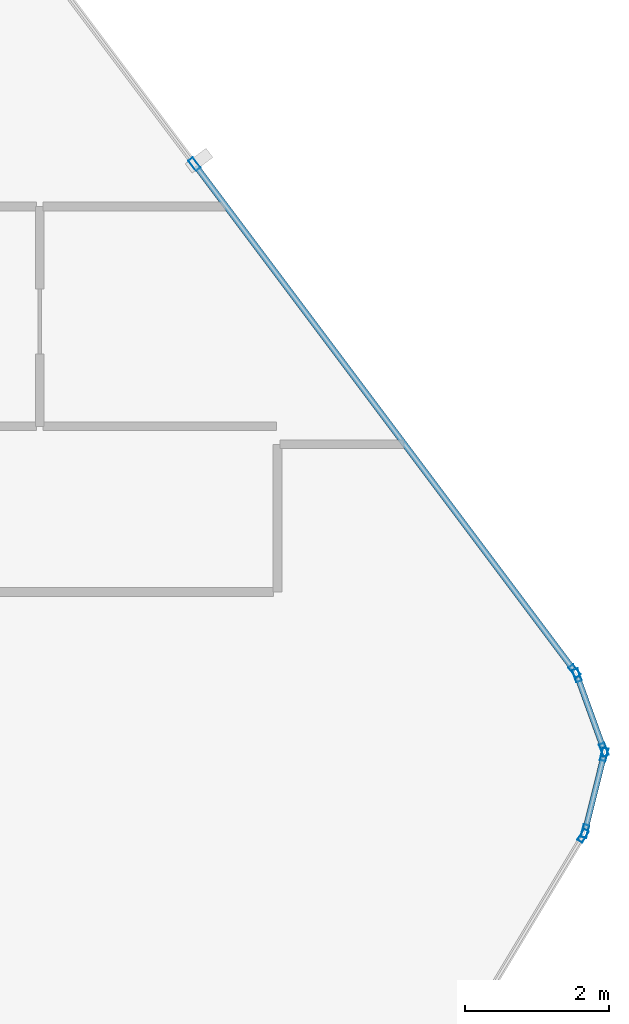
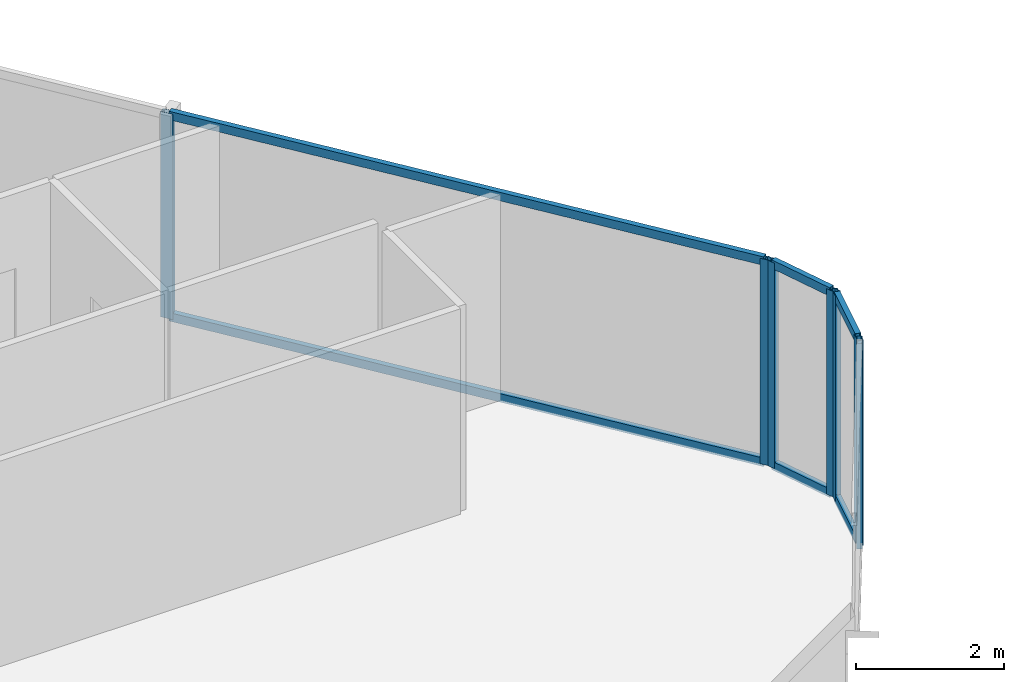
# One storey, part 19 of 31: 13 members, 4 elements without a shape of their own.
"""IFC4 building model written with IfcOpenShell, lengths in metres."""

from ifc_helpers import new_model, si_unit, direction, frame, origin, origin_2d, place, context, subcontext, project, spatial, hollow_rectangle, extrude, material, layer, layer_set, material_profile, profile_set, type_object, element, aggregate, save


model = new_model("IFC4")

# Units and contexts
model_context = context("Model", 3, precision=1e-05, world=origin(), true_north=direction((0.0, 1.0)))
body_context = subcontext(model_context, "Body", "Model", "MODEL_VIEW")
ifc_project = project(units=[si_unit("LENGTHUNIT", "METRE"), si_unit("AREAUNIT", "SQUARE_METRE"), si_unit("VOLUMEUNIT", "CUBIC_METRE"), si_unit("PLANEANGLEUNIT", "RADIAN"), si_unit("MASSUNIT", "GRAM", prefix="KILO")], contexts=[model_context])

# Site, building, storey
site_placement = place(None, origin())
site = spatial("IfcSite", under=ifc_project, at=site_placement, CompositionType="ELEMENT")
building_placement = place(site_placement, origin())
building = spatial("IfcBuilding", under=site, at=building_placement, Name="Keshet Zoharim Tower", CompositionType="ELEMENT")
storey_placement = place(building_placement, frame((0.0, 0.0, 148.300048828125)))
storey = spatial("IfcBuildingStorey", under=building, at=storey_placement, Name="L36", CompositionType="ELEMENT", Elevation=148.300048828125)

# Curtain wall, members
ifc_material = material(Name="Aluminium 6063-T6", Category="aluminium")
ifc_layer = layer(ifc_material, 0.159912109375)
ifc_layer_set = layer_set([ifc_layer], Name="Aluminium 6063-T6")
curtain_wall_type = type_object("IfcCurtainWallType", Name="CW-SYS-03", PredefinedType="NOTDEFINED", material=ifc_layer_set)
curtain_wall_1_placement = place(storey_placement, origin())
curtain_wall_1 = element("IfcCurtainWall", 1, at=curtain_wall_1_placement, inside=storey, type_object=curtain_wall_type, Name="L36 Unitised Curtain Wall 15", PredefinedType="NOTDEFINED")
ifc_material_profile_1 = material_profile(ifc_material, hollow_rectangle(XDim=0.080078125, YDim=0.179931640625, WallThickness=0.00439453125, at=origin_2d()), Name="MUL-80x180")
ifc_profile_set_1 = profile_set([ifc_material_profile_1], Name="Aluminium 6063-T6")
member_type_1 = type_object("IfcMemberType", Name="CWM-M18", PredefinedType="MULLION", material=ifc_profile_set_1)
member_1_placement = place(storey_placement, frame((56.896484375, 46.0380859375, 0.0), z_axis=(0.0, 0.0, 1.0), x_axis=(0.799999999998, 0.600000000002, 0.0)))
member_1 = element("IfcMember", 2, at=member_1_placement, type_object=member_type_1, Name="CW-03 mullion 2", PredefinedType="MULLION", context=body_context, shape_type="SweptSolid", body=[
    extrude(hollow_rectangle(XDim=0.080078125, YDim=0.179931640625, WallThickness=0.00439453125, at=origin_2d()), origin(), (0.0, 0.0, 1.0), 3.385009765625),
])
member_2_placement = place(storey_placement, frame((62.172119140625, 39.00390625, 0.0), z_axis=(0.0, 0.0, 1.0), x_axis=(0.799999999998, 0.600000000002, 0.0)))
member_2 = element("IfcMember", 3, at=member_2_placement, type_object=member_type_1, Name="CW-03 mullion 3", PredefinedType="MULLION", context=body_context, shape_type="SweptSolid", body=[
    extrude(hollow_rectangle(XDim=0.080078125, YDim=0.179931640625, WallThickness=0.00439453125, at=origin_2d()), origin(), (0.0, 0.0, 1.0), 3.385009765625),
])

curtain_wall_2_placement = place(storey_placement, origin())
curtain_wall_2 = element("IfcCurtainWall", 4, at=curtain_wall_2_placement, inside=storey, type_object=curtain_wall_type, Name="L36 Unitised Curtain Wall 16", PredefinedType="NOTDEFINED")
member_3_placement = place(storey_placement, frame((62.204833984375, 38.943115234375, 0.0), z_axis=(0.0, 0.0, 1.0), x_axis=(0.940317877544, 0.340297354046, 0.0)))
member_3 = element("IfcMember", 5, at=member_3_placement, type_object=member_type_1, Name="CW-03 mullion 1", PredefinedType="MULLION", context=body_context, shape_type="SweptSolid", body=[
    extrude(hollow_rectangle(XDim=0.080078125, YDim=0.179931640625, WallThickness=0.00439453125, at=origin_2d()), origin(), (0.0, 0.0, 1.0), 3.385009765625),
])
member_4_placement = place(storey_placement, frame((62.578125, 37.911865234375, 0.0), z_axis=(0.0, 0.0, 1.0), x_axis=(0.940317877544, 0.340297354046, 0.0)))
member_4 = element("IfcMember", 6, at=member_4_placement, type_object=member_type_1, Name="CW-03 mullion 2", PredefinedType="MULLION", context=body_context, shape_type="SweptSolid", body=[
    extrude(hollow_rectangle(XDim=0.080078125, YDim=0.179931640625, WallThickness=0.00439453125, at=origin_2d()), origin(), (0.0, 0.0, 1.0), 3.385009765625),
])

curtain_wall_3_placement = place(storey_placement, origin())
curtain_wall_3 = element("IfcCurtainWall", 7, at=curtain_wall_3_placement, inside=storey, type_object=curtain_wall_type, Name="L36 Unitised Curtain Wall 17", PredefinedType="NOTDEFINED")
member_5_placement = place(storey_placement, frame((62.58154296875, 37.844970703125, 0.0), z_axis=(0.0, 0.0, 1.0), x_axis=(0.970343857447, -0.241728770141, 0.0)))
member_5 = element("IfcMember", 8, at=member_5_placement, type_object=member_type_1, Name="CW-03 mullion 1", PredefinedType="MULLION", context=body_context, shape_type="SweptSolid", body=[
    extrude(hollow_rectangle(XDim=0.080078125, YDim=0.179931640625, WallThickness=0.00439453125, at=origin_2d()), origin(), (0.0, 0.0, 1.0), 3.385009765625),
])
member_6_placement = place(storey_placement, frame((62.31640625, 36.781005859375, 0.0), z_axis=(0.0, 0.0, 1.0), x_axis=(0.970343857447, -0.241728770141, 0.0)))
member_6 = element("IfcMember", 9, at=member_6_placement, type_object=member_type_1, Name="CW-03 mullion 2", PredefinedType="MULLION", context=body_context, shape_type="SweptSolid", body=[
    extrude(hollow_rectangle(XDim=0.080078125, YDim=0.179931640625, WallThickness=0.00439453125, at=origin_2d()), origin(), (0.0, 0.0, 1.0), 3.385009765625),
])

# Curtain wall, member
curtain_wall_4_placement = place(storey_placement, origin())
curtain_wall_4 = element("IfcCurtainWall", 10, at=curtain_wall_4_placement, inside=storey, type_object=curtain_wall_type, Name="L36 Unitised Curtain Wall 18", PredefinedType="NOTDEFINED")
member_7_placement = place(storey_placement, frame((62.2900390625, 36.717041015625, 0.0), z_axis=(0.0, 0.0, 1.0), x_axis=(0.857501477862, -0.514481501576, 0.0)))
member_7 = element("IfcMember", 11, at=member_7_placement, type_object=member_type_1, Name="CW-03 mullion 1", PredefinedType="MULLION", context=body_context, shape_type="SweptSolid", body=[
    extrude(hollow_rectangle(XDim=0.080078125, YDim=0.179931640625, WallThickness=0.00439453125, at=origin_2d()), origin(), (0.0, 0.0, 1.0), 3.385009765625),
])
aggregate(curtain_wall_4, [member_7])

# Member
ifc_material_profile_2 = material_profile(ifc_material, hollow_rectangle(XDim=0.080078125, YDim=0.139892578125, WallThickness=0.00390625, at=origin_2d()), Name="TRN-80x140")
ifc_profile_set_2 = profile_set([ifc_material_profile_2], Name="Aluminium 6063-T6")
member_type_2 = type_object("IfcMemberType", Name="CWT-T14", PredefinedType="USERDEFINED", material=ifc_profile_set_2)
member_8_placement = place(storey_placement, frame((56.91748046875, 46.010009765625, 0.034912109375), z_axis=(0.599991043201, -0.800006717521, 0.0), x_axis=(0.800006717521, 0.599991043201, 0.0)))
member_8 = element("IfcMember", 12, at=member_8_placement, type_object=member_type_2, Name="CW-03 transom 2.1", ObjectType="TRANSOM", PredefinedType="USERDEFINED", context=body_context, shape_type="SweptSolid", body=[
    extrude(hollow_rectangle(XDim=0.080078125, YDim=0.139892578125, WallThickness=0.00390625, at=origin_2d()), origin(), (0.0, 0.0, 1.0), 8.722412109375),
])

member_9_placement = place(storey_placement, frame((56.91748046875, 46.010009765625, 3.349853515625), z_axis=(0.599991043201, -0.800006717521, 0.0), x_axis=(0.800006717521, 0.599991043201, 0.0)))
member_9 = element("IfcMember", 13, at=member_9_placement, type_object=member_type_2, Name="CW-03 transom 2.2", ObjectType="TRANSOM", PredefinedType="USERDEFINED", context=body_context, shape_type="SweptSolid", body=[
    extrude(hollow_rectangle(XDim=0.080078125, YDim=0.139892578125, WallThickness=0.00390625, at=origin_2d()), origin(), (0.0, 0.0, 1.0), 8.722412109375),
])

aggregate(curtain_wall_1, [member_1, member_2, member_8, member_9])

member_10_placement = place(storey_placement, frame((62.216796875, 38.91015625, 0.034912109375), z_axis=(0.340310579984, -0.940313091024, 0.0), x_axis=(0.940313091024, 0.340310579984, 0.0)))
member_10 = element("IfcMember", 14, at=member_10_placement, type_object=member_type_2, Name="CW-03 transom 1.1", ObjectType="TRANSOM", PredefinedType="USERDEFINED", context=body_context, shape_type="SweptSolid", body=[
    extrude(hollow_rectangle(XDim=0.080078125, YDim=0.139892578125, WallThickness=0.00390625, at=origin_2d()), origin(), (0.0, 0.0, 1.0), 1.026611328125),
])

member_11_placement = place(storey_placement, frame((62.216796875, 38.91015625, 3.349853515625), z_axis=(0.340310579984, -0.940313091024, 0.0), x_axis=(0.940313091024, 0.340310579984, 0.0)))
member_11 = element("IfcMember", 15, at=member_11_placement, type_object=member_type_2, Name="CW-03 transom 1.2", ObjectType="TRANSOM", PredefinedType="USERDEFINED", context=body_context, shape_type="SweptSolid", body=[
    extrude(hollow_rectangle(XDim=0.080078125, YDim=0.139892578125, WallThickness=0.00390625, at=origin_2d()), origin(), (0.0, 0.0, 1.0), 1.026611328125),
])

aggregate(curtain_wall_2, [member_3, member_4, member_10, member_11])

member_12_placement = place(storey_placement, frame((62.572998046875, 37.81103515625, 0.034912109375), z_axis=(-0.241640143717, -0.970365931463, 0.0), x_axis=(0.970365931463, -0.241640143717, 0.0)))
member_12 = element("IfcMember", 16, at=member_12_placement, type_object=member_type_2, Name="CW-03 transom 1.1", ObjectType="TRANSOM", PredefinedType="USERDEFINED", context=body_context, shape_type="SweptSolid", body=[
    extrude(hollow_rectangle(XDim=0.080078125, YDim=0.139892578125, WallThickness=0.00390625, at=origin_2d()), origin(), (0.0, 0.0, 1.0), 1.026611328125),
])

member_13_placement = place(storey_placement, frame((62.572998046875, 37.81103515625, 3.349853515625), z_axis=(-0.241640143717, -0.970365931463, 0.0), x_axis=(0.970365931463, -0.241640143717, 0.0)))
member_13 = element("IfcMember", 17, at=member_13_placement, type_object=member_type_2, Name="CW-03 transom 1.2", ObjectType="TRANSOM", PredefinedType="USERDEFINED", context=body_context, shape_type="SweptSolid", body=[
    extrude(hollow_rectangle(XDim=0.080078125, YDim=0.139892578125, WallThickness=0.00390625, at=origin_2d()), origin(), (0.0, 0.0, 1.0), 1.026611328125),
])

aggregate(curtain_wall_3, [member_5, member_6, member_12, member_13])

save(model, "model.ifc")
